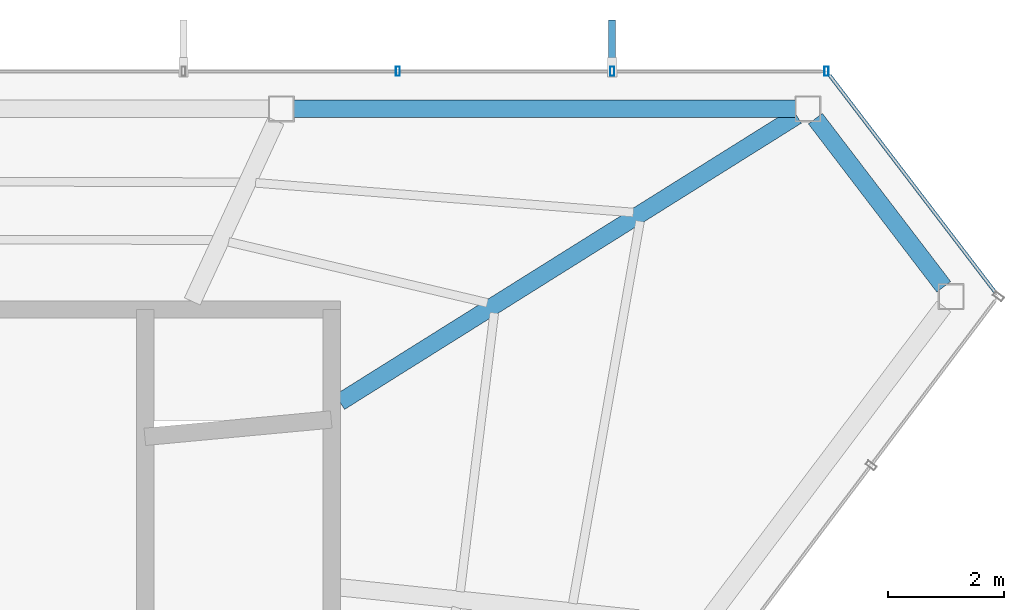
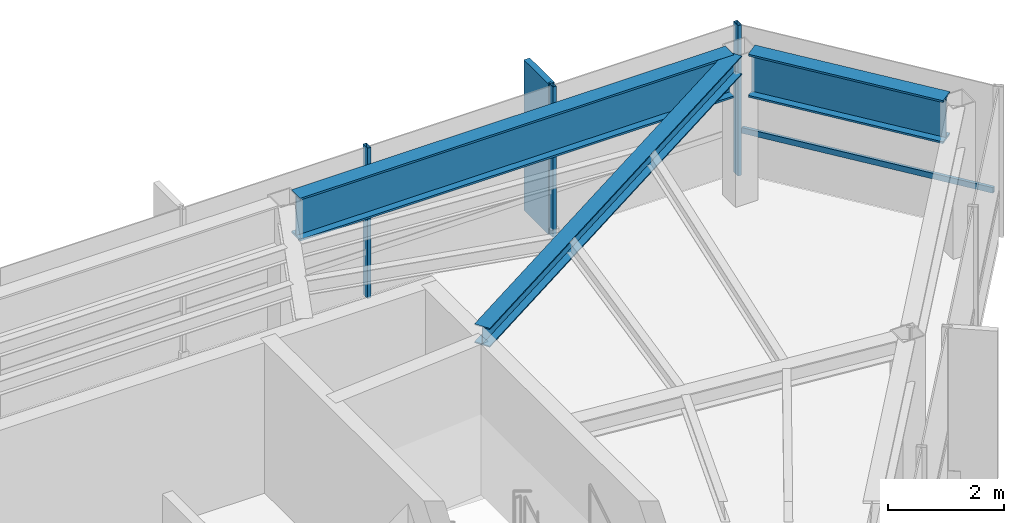
# One storey, part 18 of 22: 5 members, 3 beams, 2 elements without a shape of their own.
"""IFC4 building model written with IfcOpenShell, lengths in metres."""

from ifc_helpers import new_model, si_unit, direction, frame, origin, origin_2d, place, context, subcontext, project, spatial, rectangle, hollow_rectangle, i_section, extrude, material, layer, layer_set, material_profile, profile_set, type_object, element, aggregate, save


model = new_model("IFC4")

# Units and contexts
model_context = context("Model", 3, precision=1e-05, world=origin(), true_north=direction((0.0, 1.0)))
body_context = subcontext(model_context, "Body", "Model", "MODEL_VIEW")
ifc_project = project(units=[si_unit("LENGTHUNIT", "METRE"), si_unit("AREAUNIT", "SQUARE_METRE"), si_unit("VOLUMEUNIT", "CUBIC_METRE"), si_unit("PLANEANGLEUNIT", "RADIAN"), si_unit("MASSUNIT", "GRAM", prefix="KILO")], contexts=[model_context])

# Site, building, storey
site_placement = place(None, origin())
site = spatial("IfcSite", under=ifc_project, at=site_placement, CompositionType="ELEMENT")
building_placement = place(site_placement, origin())
building = spatial("IfcBuilding", under=site, at=building_placement, Name="Zarrinselat Tower", CompositionType="ELEMENT")
storey_placement = place(building_placement, frame((0.0, 0.0, 289.0)))
storey = spatial("IfcBuildingStorey", under=building, at=storey_placement, Name="L74", CompositionType="ELEMENT", Elevation=289.0)

# Beams
ifc_material_1 = material(Name="Steel S355J2", Category="steel")
ifc_material_profile_1 = material_profile(ifc_material_1, i_section(OverallWidth=0.300048828125, OverallDepth=0.39990234375, WebThickness=0.013427734375, FlangeThickness=0.02392578125, at=origin_2d()), Name="HEB 400")
ifc_profile_set_1 = profile_set([ifc_material_profile_1], Name="Steel S355J2")
beam_type_1 = type_object("IfcBeamType", Name="BM-HEB400", PredefinedType="BEAM", material=ifc_profile_set_1)
beam_1_placement = place(storey_placement, frame((48.35009765625, 41.800048828125, 2.97998046875), z_axis=(0.847376332873, 0.53099279702, 0.0), x_axis=(-0.53099279702, 0.847376332873, 0.0)))
element("IfcBeam", 1, at=beam_1_placement, inside=storey, type_object=beam_type_1, Name="L74 Radial Primary Girder RG01", PredefinedType="BEAM", context=body_context, shape_type="SweptSolid", body=[
    extrude(i_section(OverallWidth=0.300048828125, OverallDepth=0.39990234375, WebThickness=0.013427734375, FlangeThickness=0.02392578125, at=origin_2d()), origin(), (0.0, 0.0, 1.0), 9.314697265625),
])
ifc_material_2 = material(Name="Steel S460M", Category="steel")
ifc_material_profile_2 = material_profile(ifc_material_2, i_section(OverallWidth=0.302001953125, OverallDepth=0.909912109375, WebThickness=0.02099609375, FlangeThickness=0.0400390625, at=origin_2d()), Name="HEM 900")
ifc_profile_set_2 = profile_set([ifc_material_profile_2], Name="Steel S460M")
beam_type_2 = type_object("IfcBeamType", Name="BM-HEM900", PredefinedType="BEAM", material=ifc_profile_set_2)
beam_2_placement = place(storey_placement, frame((47.553466796875, 46.86669921875, 2.72509765625), z_axis=(1.0, 0.0, 0.0), x_axis=(0.0, 1.0, 0.0)))
element("IfcBeam", 2, at=beam_2_placement, inside=storey, type_object=beam_type_2, Name="L74 Perimeter Spandrel Girder SP01", PredefinedType="BEAM", context=body_context, shape_type="SweptSolid", body=[
    extrude(i_section(OverallWidth=0.302001953125, OverallDepth=0.909912109375, WebThickness=0.02099609375, FlangeThickness=0.0400390625, at=origin_2d()), origin(), (0.0, 0.0, 1.0), 8.669189453125),
])
beam_3_placement = place(storey_placement, frame((56.564697265625, 46.697509765625, 2.72509765625), z_axis=(0.606807728464, -0.794848652686, 0.0), x_axis=(0.794848652686, 0.606807728464, 0.0)))
element("IfcBeam", 3, at=beam_3_placement, inside=storey, type_object=beam_type_2, Name="L74 Perimeter Spandrel Girder SP15", PredefinedType="BEAM", context=body_context, shape_type="SweptSolid", body=[
    extrude(i_section(OverallWidth=0.302001953125, OverallDepth=0.909912109375, WebThickness=0.02099609375, FlangeThickness=0.0400390625, at=origin_2d()), origin(), (0.0, 0.0, 1.0), 3.65478515625),
])

# Curtain wall, members
ifc_material_3 = material(Name="Extruded Aluminium Alloy EN AW-6063 T6", Category="aluminium")
ifc_layer = layer(ifc_material_3, 0.169921875)
ifc_layer_set = layer_set([ifc_layer], Name="Extruded Aluminium Alloy EN AW-6063 T6")
curtain_wall_type = type_object("IfcCurtainWallType", Name="CWS-RES", PredefinedType="NOTDEFINED", material=ifc_layer_set)
curtain_wall_1_placement = place(storey_placement, origin())
curtain_wall_1 = element("IfcCurtainWall", 4, at=curtain_wall_1_placement, inside=storey, type_object=curtain_wall_type, Name="L74 Unitised Curtain Wall CW-L74-E01", PredefinedType="NOTDEFINED")
ifc_material_4 = material(Name="Extruded Aluminium Alloy EN AW-6063 T6", Category="aluminium")
ifc_material_profile_3 = material_profile(ifc_material_4, hollow_rectangle(XDim=0.070068359375, YDim=0.159912109375, WallThickness=0.00390625, at=origin_2d()), Name="RHS 160x70x4")
ifc_profile_set_3 = profile_set([ifc_material_profile_3], Name="Extruded Aluminium Alloy EN AW-6063 T6")
member_type_1 = type_object("IfcMemberType", Name="MEM-CW-MUL2", PredefinedType="MULLION", material=ifc_profile_set_3)
member_1_placement = place(storey_placement, frame((56.757080078125, 47.5166015625, 0.0), z_axis=(0.0, 0.0, 1.0), x_axis=(-1.0, 0.0, 0.0)))
member_1 = element("IfcMember", 5, at=member_1_placement, type_object=member_type_1, Name="CW-L74-E01 Mullion 0", PredefinedType="MULLION", context=body_context, shape_type="SweptSolid", body=[
    extrude(hollow_rectangle(XDim=0.070068359375, YDim=0.159912109375, WallThickness=0.00390625, at=origin_2d()), origin(), (0.0, 0.0, 1.0), 3.179931640625),
])
member_2_placement = place(storey_placement, frame((53.054443359375, 47.5166015625, 0.0), z_axis=(0.0, 0.0, 1.0), x_axis=(-1.0, 0.0, 0.0)))
member_2 = element("IfcMember", 6, at=member_2_placement, type_object=member_type_1, Name="CW-L74-E01 Mullion 1", PredefinedType="MULLION", context=body_context, shape_type="SweptSolid", body=[
    extrude(hollow_rectangle(XDim=0.070068359375, YDim=0.159912109375, WallThickness=0.00390625, at=origin_2d()), origin(), (0.0, 0.0, 1.0), 3.179931640625),
])
member_3_placement = place(storey_placement, frame((49.351806640625, 47.5166015625, 0.0), z_axis=(0.0, 0.0, 1.0), x_axis=(-1.0, 0.0, 0.0)))
member_3 = element("IfcMember", 7, at=member_3_placement, type_object=member_type_1, Name="CW-L74-E01 Mullion 2", PredefinedType="MULLION", context=body_context, shape_type="SweptSolid", body=[
    extrude(hollow_rectangle(XDim=0.070068359375, YDim=0.159912109375, WallThickness=0.00390625, at=origin_2d()), origin(), (0.0, 0.0, 1.0), 3.179931640625),
])

# Curtain wall, member
curtain_wall_2_placement = place(storey_placement, origin())
curtain_wall_2 = element("IfcCurtainWall", 8, at=curtain_wall_2_placement, inside=storey, type_object=curtain_wall_type, Name="L74 Unitised Curtain Wall CW-L74-E06", PredefinedType="NOTDEFINED")
ifc_material_5 = material(Name="Extruded Aluminium Alloy EN AW-6063 T6", Category="aluminium")
ifc_material_profile_4 = material_profile(ifc_material_5, hollow_rectangle(XDim=0.06005859375, YDim=0.1201171875, WallThickness=0.00390625, at=origin_2d()), Name="RHS 120x60x4")
ifc_profile_set_4 = profile_set([ifc_material_profile_4], Name="Extruded Aluminium Alloy EN AW-6063 T6")
member_type_2 = type_object("IfcMemberType", Name="MEM-CW-TRN2", PredefinedType="USERDEFINED", material=ifc_profile_set_4)
member_4_placement = place(storey_placement, frame((59.6728515625, 43.697265625, 0.949951171875), z_axis=(-0.606771475244, 0.79487632801, 0.0), x_axis=(-0.79487632801, -0.606771475244, 0.0)))
member_4 = element("IfcMember", 9, at=member_4_placement, type_object=member_type_2, Name="CW-L74-E06 Transom 1", ObjectType="TRANSOM", PredefinedType="USERDEFINED", context=body_context, shape_type="SweptSolid", body=[
    extrude(hollow_rectangle(XDim=0.06005859375, YDim=0.1201171875, WallThickness=0.00390625, at=origin_2d()), origin(), (0.0, 0.0, 1.0), 4.71533203125),
])
aggregate(curtain_wall_2, [member_4])

# Member
ifc_material_6 = material(Name="Honed Cream Travertine Stone", Category="masonry")
ifc_material_profile_5 = material_profile(ifc_material_6, rectangle(XDim=0.1201171875, YDim=0.85009765625, at=origin_2d()), Name="FIN 850x120")
ifc_profile_set_5 = profile_set([ifc_material_profile_5], Name="Honed Cream Travertine Stone")
member_type_3 = type_object("IfcMemberType", Name="MEM-STONE-FIN", PredefinedType="USERDEFINED", material=ifc_profile_set_5)
member_5_placement = place(storey_placement, frame((53.054443359375, 47.976806640625, 0.0), z_axis=(0.0, 0.0, 1.0), x_axis=(1.0, 0.0, 0.0)))
member_5 = element("IfcMember", 10, at=member_5_placement, type_object=member_type_3, Name="L74 Stone Shading Fin CW-L74-E01-01", ObjectType="FIN", PredefinedType="USERDEFINED", context=body_context, shape_type="SweptSolid", body=[
    extrude(rectangle(XDim=0.1201171875, YDim=0.85009765625, at=origin_2d()), origin(), (0.0, 0.0, 1.0), 3.179931640625),
])

aggregate(curtain_wall_1, [member_1, member_2, member_5, member_3])

save(model, "model.ifc")
